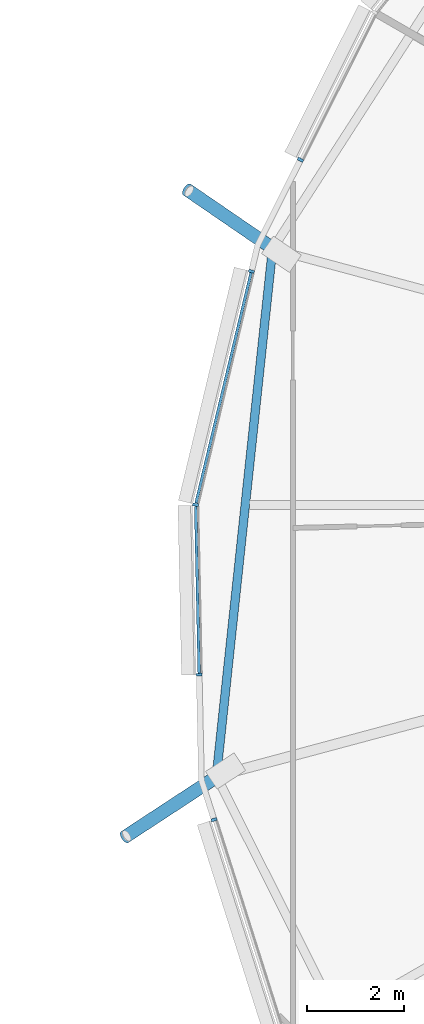
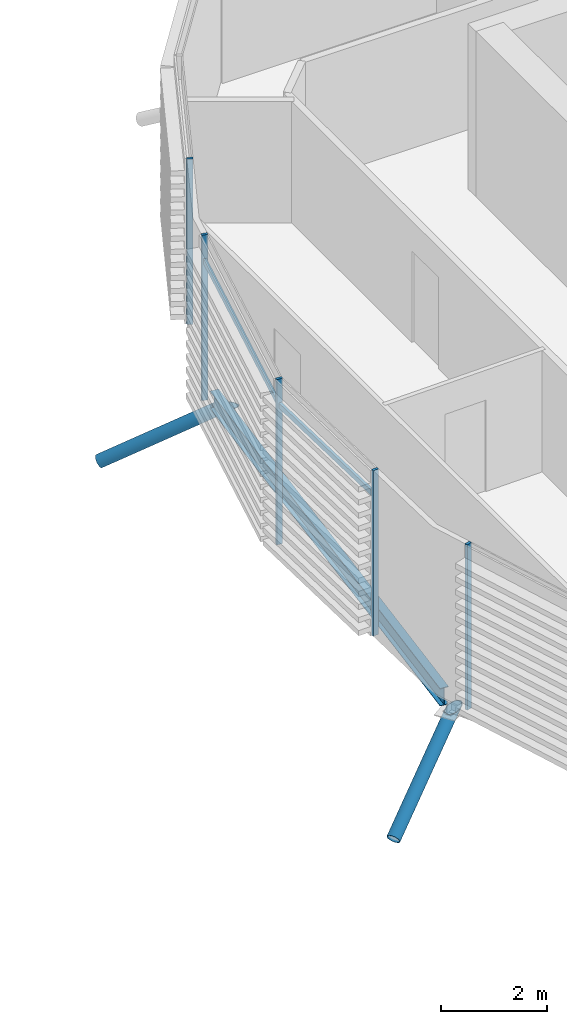
# One storey, part 9 of 37: 9 members, 1 beam, 1 element without a shape of its own.
"""IFC4 building model written with IfcOpenShell, lengths in metres."""

import ifcopenshell
import ifcopenshell.guid

model = None  # the IFC model being written
_history = None  # IfcOwnerHistory: only IFC2X3 demands one
_inside = {}  # id of a spatial element -> (the spatial element, [elements in it])
_under = {}  # id of a project, library or spatial element -> (it, [spatial elements below it])
_declared = {}  # id of a project -> (the project, [libraries it declares])
_typed = {}  # id of a type object -> (the type object, [elements of that type])
_made_of = {}  # id of a material, layer set ... -> (it, [elements and type objects made of it])


def new_model(schema):
    """Start an empty IFC model of exactly this schema.

    Asked for "IFC4X3", IfcOpenShell would pick the latest addendum, in which some entities
    have other attributes; the version numbers below select the first issue.
    IFC2X3 requires an IfcOwnerHistory on every rooted entity: one is made here for all.
    """
    global model, _history
    if schema == "IFC4X3":
        model = ifcopenshell.file(schema_version=(4, 3, 0, 0))
    else:
        model = ifcopenshell.file(schema=schema)
    _inside.clear()
    _under.clear()
    _declared.clear()
    _typed.clear()
    _made_of.clear()
    _history = None
    if model.schema == "IFC2X3":
        org = make("IfcOrganization", Name="unknown")
        user = make(
            "IfcPersonAndOrganization",
            ThePerson=make("IfcPerson", FamilyName="unknown"),
            TheOrganization=org,
        )
        app = make(
            "IfcApplication",
            ApplicationDeveloper=org,
            Version="unknown",
            ApplicationFullName="unknown",
            ApplicationIdentifier="unknown",
        )
        _history = make(
            "IfcOwnerHistory",
            OwningUser=user,
            OwningApplication=app,
            ChangeAction="ADDED",
            CreationDate=0,
        )
    return model


def make(cls, **values):
    """One entity of the class cls with the attributes given. An attribute that is None is left unset."""
    return model.create_entity(
        cls, **{name: value for name, value in values.items() if value is not None}
    )


def rooted(cls, **values):
    """An entity with a GlobalId (a new one), such as an element, a storey or a relation."""
    return make(cls, GlobalId=ifcopenshell.guid.new(), OwnerHistory=_history, **values)


def si_unit(unit_type, name, prefix=None):
    """IfcSIUnit, for example si_unit("LENGTHUNIT", "METRE", prefix="MILLI")."""
    return make("IfcSIUnit", UnitType=unit_type, Prefix=prefix, Name=name)


def assignment(units):
    """IfcUnitAssignment: the units of a project."""
    return None if units is None else make("IfcUnitAssignment", Units=units)


def point(xyz):
    """IfcCartesianPoint."""
    return None if xyz is None else make("IfcCartesianPoint", Coordinates=xyz)


def direction(xyz):
    """IfcDirection."""
    return None if xyz is None else make("IfcDirection", DirectionRatios=xyz)


def frame(location, z_axis=None, x_axis=None):
    """IfcAxis2Placement3D, a coordinate frame: its origin and axes. An axis left out is left unset."""
    return make(
        "IfcAxis2Placement3D",
        Location=point(location),
        Axis=direction(z_axis),
        RefDirection=direction(x_axis),
    )


def frame_2d(location, x_axis=None):
    """IfcAxis2Placement2D, a coordinate frame in the plane: its origin and x axis."""
    return make(
        "IfcAxis2Placement2D", Location=point(location), RefDirection=direction(x_axis)
    )


def origin():
    """The frame at (0, 0, 0) with its axes left unset."""
    return frame((0.0, 0.0, 0.0))


def origin_2d():
    """The frame at (0, 0) in the plane with its x axis left unset."""
    return frame_2d((0.0, 0.0))


def place(relative_to, where):
    """IfcLocalPlacement: puts the frame where relative to a parent placement (None: the world)."""
    return make(
        "IfcLocalPlacement", PlacementRelTo=relative_to, RelativePlacement=where
    )


def context(
    kind, dimensions, precision=None, world=None, true_north=None, identifier=None
):
    """IfcGeometricRepresentationContext, for example the 3D "Model" context."""
    return make(
        "IfcGeometricRepresentationContext",
        ContextIdentifier=identifier,
        ContextType=kind,
        CoordinateSpaceDimension=dimensions,
        Precision=precision,
        WorldCoordinateSystem=world,
        TrueNorth=true_north,
    )


def subcontext(parent, identifier, kind, view, scale=None):
    """IfcGeometricRepresentationSubContext, for example "Body" below "Model"."""
    return make(
        "IfcGeometricRepresentationSubContext",
        ContextIdentifier=identifier,
        ContextType=kind,
        ParentContext=parent,
        TargetScale=scale,
        TargetView=view,
    )


def project(units=None, contexts=None):
    """IfcProject with its units and contexts."""
    return rooted(
        "IfcProject",
        Name="project",
        RepresentationContexts=contexts,
        UnitsInContext=assignment(units),
    )


def spatial(cls, under=None, at=None, **own):
    """A site, building, storey or space (cls), placed at a placement, below another one or the project."""
    s = rooted(cls, ObjectPlacement=at, **own)
    if under is not None:
        _under.setdefault(under.id(), (under, []))[1].append(s)
    return s


def profile(cls, at=None, kind="AREA", **sizes):
    """A parametric profile (cls). Its sizes go by their IFC names, for example OverallWidth=200.0."""
    return make(cls, ProfileType=kind, Position=at, **sizes)


def rectangle(**sizes):
    """IfcRectangleProfileDef."""
    return profile("IfcRectangleProfileDef", **sizes)


def hollow_circle(**sizes):
    """IfcCircleHollowProfileDef."""
    return profile("IfcCircleHollowProfileDef", **sizes)


def i_section(**sizes):
    """IfcIShapeProfileDef."""
    return profile("IfcIShapeProfileDef", **sizes)


def extrude(swept, where, along, depth):
    """IfcExtrudedAreaSolid: the profile swept, set in the frame where, extruded along a direction by depth."""
    return make(
        "IfcExtrudedAreaSolid",
        SweptArea=swept,
        Position=where,
        ExtrudedDirection=direction(along),
        Depth=depth,
    )


def clip(a, b, op="DIFFERENCE"):
    """IfcBooleanClippingResult: the solid a cut by the half space b."""
    return make(
        "IfcBooleanClippingResult", Operator=op, FirstOperand=a, SecondOperand=b
    )


def halfspace(plane, agree):
    """IfcHalfSpaceSolid: all space on one side of the plane z = 0 of the frame plane."""
    return make(
        "IfcHalfSpaceSolid",
        BaseSurface=make("IfcPlane", Position=plane),
        AgreementFlag=agree,
    )


def shape(context_of_items, identifier, shape_type, items):
    """IfcShapeRepresentation: the items that make up one representation, for example the "Body"."""
    return make(
        "IfcShapeRepresentation",
        ContextOfItems=context_of_items,
        RepresentationIdentifier=identifier,
        RepresentationType=shape_type,
        Items=items,
    )


def material(Name=None, Category=None):
    """IfcMaterial."""
    return make("IfcMaterial", Name=Name, Category=Category)


def material_profile(
    of_material, cross_section, Name=None, Category=None, Priority=None
):
    """IfcMaterialProfile: a cross section and its material."""
    return make(
        "IfcMaterialProfile",
        Name=Name,
        Material=of_material,
        Profile=cross_section,
        Priority=Priority,
        Category=Category,
    )


def profile_set(profiles, Name=None, composite=None):
    """IfcMaterialProfileSet."""
    return make(
        "IfcMaterialProfileSet",
        Name=Name,
        MaterialProfiles=profiles,
        CompositeProfile=composite,
    )


def made_of(thing, what):
    """Note that an element or type object is made of a material, layer set ...; save() writes the relation."""
    if what is not None:
        _made_of.setdefault(what.id(), (what, []))[1].append(thing)
    return thing


def type_object(cls, material=None, **own):
    """A type object (cls), such as IfcWallType, which elements share."""
    return made_of(rooted(cls, **own), material)


def element(
    cls,
    number,
    at=None,
    inside=None,
    cuts=None,
    type_object=None,
    material=None,
    context=None,
    identifier="Body",
    shape_type=None,
    held_by="IfcProductDefinitionShape",
    body=None,
    shapes=None,
    **own,
):
    """One element of the class cls, such as IfcWall. Its Tag is "e" and its number.

    at: its placement. inside: the storey or other place that contains it. cuts: it is an
    opening in that element (IfcRelVoidsElement). A single representation is given by context,
    identifier, shape_type and body (its items); several are given by shapes. held_by: the class
    of the entity that holds the representations. save() writes the other relations.
    """
    e = rooted(cls, Tag="e%d" % number, ObjectPlacement=at, **own)
    if body is not None:
        shapes = [shape(context, identifier, shape_type, body)]
    if shapes is not None:
        e.Representation = make(held_by, Representations=shapes)
    if inside is not None:
        _inside.setdefault(inside.id(), (inside, []))[1].append(e)
    if cuts is not None:
        rooted(
            "IfcRelVoidsElement", RelatingBuildingElement=cuts, RelatedOpeningElement=e
        )
    if type_object is not None:
        _typed.setdefault(type_object.id(), (type_object, []))[1].append(e)
    return made_of(e, material)


def aggregate(whole, parts):
    """IfcRelAggregates: a whole, such as a stair, and the parts it consists of."""
    return rooted("IfcRelAggregates", RelatingObject=whole, RelatedObjects=parts)


def save(model, path):
    """Write the relations noted so far, then the file.

    IfcRelAggregates (storeys below a building ...), IfcRelContainedInSpatialStructure (elements
    in a storey), IfcRelDefinesByType, IfcRelAssociatesMaterial and IfcRelDeclares: one each for
    every whole, place, type object, material and project.
    """
    for whole, parts in _under.values():
        aggregate(whole, parts)
    for where, things in _inside.values():
        rooted(
            "IfcRelContainedInSpatialStructure",
            RelatedElements=things,
            RelatingStructure=where,
        )
    for kind, things in _typed.values():
        rooted("IfcRelDefinesByType", RelatedObjects=things, RelatingType=kind)
    for what, things in _made_of.values():
        rooted("IfcRelAssociatesMaterial", RelatedObjects=things, RelatingMaterial=what)
    for by, libraries in _declared.values():
        rooted("IfcRelDeclares", RelatingContext=by, RelatedDefinitions=libraries)
    model.write(path)


model = new_model("IFC4")

# Units and contexts
model_context = context("Model", 3, precision=1e-05, world=origin(), true_north=direction((0.0, 1.0)))
body_context = subcontext(model_context, "Body", "Model", "MODEL_VIEW")
ifc_project = project(units=[si_unit("LENGTHUNIT", "METRE"), si_unit("AREAUNIT", "SQUARE_METRE"), si_unit("VOLUMEUNIT", "CUBIC_METRE"), si_unit("PLANEANGLEUNIT", "RADIAN"), si_unit("MASSUNIT", "GRAM", prefix="KILO")], contexts=[model_context])

# Site, building, storey
site_placement = place(None, origin())
site = spatial("IfcSite", under=ifc_project, at=site_placement, CompositionType="ELEMENT")
building_placement = place(site_placement, origin())
building = spatial("IfcBuilding", under=site, at=building_placement, Name="Rimbun Link Towers", CompositionType="ELEMENT")
storey_placement = place(building_placement, frame((0.0, 0.0, 162.699951171875)))
storey = spatial("IfcBuildingStorey", under=building, at=storey_placement, Name="L39", CompositionType="ELEMENT", Elevation=162.699951171875)

# Curtain wall, members
ifc_material_1 = material(Name="Aluminium 6063-T6 and low-iron glass", Category="aluminium")
curtain_wall_type = type_object("IfcCurtainWallType", Name="CW1-Z3 unitised vision wall (zone 3)", PredefinedType="NOTDEFINED", material=ifc_material_1)
curtain_wall_placement = place(storey_placement, origin())
curtain_wall = element("IfcCurtainWall", 1, at=curtain_wall_placement, inside=storey, type_object=curtain_wall_type, Name="CW1 L39 T2", PredefinedType="NOTDEFINED")
ifc_material_2 = material(Name="Aluminium 6063-T6", Category="aluminium")
ifc_material_profile_1 = material_profile(ifc_material_2, rectangle(XDim=0.1201171875, YDim=0.06005859375, at=origin_2d()), Name="MULLION 60X120")
ifc_profile_set_1 = profile_set([ifc_material_profile_1], Name="Aluminium 6063-T6")
member_type_1 = type_object("IfcMemberType", Name="CW1 mullion 60X120", PredefinedType="MULLION", material=ifc_profile_set_1)
member_1_placement = place(storey_placement, frame((12.7119140625, 7.0908203125, 0.0), z_axis=(0.0, 0.0, 1.0), x_axis=(-0.893649163744, 0.448766277854, 0.0)))
member_1 = element("IfcMember", 2, at=member_1_placement, type_object=member_type_1, Name="CW1 mullion", PredefinedType="MULLION", context=body_context, shape_type="SweptSolid", body=[
    extrude(rectangle(XDim=0.1201171875, YDim=0.06005859375, at=origin_2d()), origin(), (0.0, 0.0, 1.0), 3.800048828125),
])
member_2_placement = place(storey_placement, frame((10.55810546875, 0.00634765625, 0.0), z_axis=(0.0, 0.0, 1.0), x_axis=(-0.994296940648, 0.106647052549, 0.0)))
member_2 = element("IfcMember", 3, at=member_2_placement, type_object=member_type_1, Name="CW1 mullion", PredefinedType="MULLION", context=body_context, shape_type="SweptSolid", body=[
    extrude(rectangle(XDim=0.1201171875, YDim=0.06005859375, at=origin_2d()), origin(), (0.0, 0.0, 1.0), 3.800048828125),
])
member_3_placement = place(storey_placement, frame((11.7041015625, 4.80029296875, 0.0), z_axis=(0.0, 0.0, 1.0), x_axis=(-0.972569993504, 0.232610420521, 0.0)))
member_3 = element("IfcMember", 4, at=member_3_placement, type_object=member_type_1, Name="CW1 mullion", PredefinedType="MULLION", context=body_context, shape_type="SweptSolid", body=[
    extrude(rectangle(XDim=0.1201171875, YDim=0.06005859375, at=origin_2d()), origin(), (0.0, 0.0, 1.0), 3.800048828125),
])
member_4_placement = place(storey_placement, frame((10.631103515625, -3.482421875, 0.0), z_axis=(0.0, 0.0, 1.0), x_axis=(-0.999778238808, -0.021058803518, 0.0)))
member_4 = element("IfcMember", 5, at=member_4_placement, type_object=member_type_1, Name="CW1 mullion", PredefinedType="MULLION", context=body_context, shape_type="SweptSolid", body=[
    extrude(rectangle(XDim=0.1201171875, YDim=0.06005859375, at=origin_2d()), origin(), (0.0, 0.0, 1.0), 3.800048828125),
])
member_5_placement = place(storey_placement, frame((10.936767578125, -6.458740234375, 0.0), z_axis=(0.0, 0.0, 1.0), x_axis=(-0.952964505749, -0.303081920912, 0.0)))
member_5 = element("IfcMember", 6, at=member_5_placement, type_object=member_type_1, Name="CW1 mullion", PredefinedType="MULLION", context=body_context, shape_type="SweptSolid", body=[
    extrude(rectangle(XDim=0.1201171875, YDim=0.06005859375, at=origin_2d()), origin(), (0.0, 0.0, 1.0), 3.800048828125),
])
ifc_material_3 = material(Name="Aluminium 6063-T6", Category="aluminium")
ifc_material_profile_2 = material_profile(ifc_material_3, rectangle(XDim=0.06005859375, YDim=0.1201171875, at=origin_2d()), Name="TRANSOM 60X120")
ifc_profile_set_2 = profile_set([ifc_material_profile_2], Name="Aluminium 6063-T6")
member_type_2 = type_object("IfcMemberType", Name="CW1 transom 60X120", PredefinedType="USERDEFINED", material=ifc_profile_set_2)
member_6_placement = place(storey_placement, frame((10.568359375, 0.042724609375, 3.199951171875), z_axis=(0.232620716872, 0.972567530859, 0.0), x_axis=(-0.972567530859, 0.232620716872, 0.0)))
member_6 = element("IfcMember", 7, at=member_6_placement, type_object=member_type_2, Name="CW1 transom", ObjectType="TRANSOM", PredefinedType="USERDEFINED", context=body_context, shape_type="SweptSolid", body=[
    extrude(rectangle(XDim=0.06005859375, YDim=0.1201171875, at=origin_2d()), origin(), (0.0, 0.0, 1.0), 4.861328125),
])
member_7_placement = place(storey_placement, frame((10.632568359375, -3.452392578125, 3.199951171875), z_axis=(-0.021047217043, 0.999778482792, 0.0), x_axis=(-0.999778482792, -0.021047217043, 0.0)))
member_7 = element("IfcMember", 8, at=member_7_placement, type_object=member_type_2, Name="CW1 transom", ObjectType="TRANSOM", PredefinedType="USERDEFINED", context=body_context, shape_type="SweptSolid", body=[
    extrude(rectangle(XDim=0.06005859375, YDim=0.1201171875, at=origin_2d()), origin(), (0.0, 0.0, 1.0), 3.421875),
])
aggregate(curtain_wall, [member_1, member_2, member_3, member_4, member_5, member_6, member_7])

# Members
ifc_material_4 = material(Name="Steel S355J2H", Category="steel")
ifc_material_profile_3 = material_profile(ifc_material_4, hollow_circle(Radius=0.136474609375, WallThickness=0.012451171875, at=origin_2d()), Name="CHS 273x12.5")
ifc_profile_set_3 = profile_set([ifc_material_profile_3], Name="Steel S355J2H")
member_type_3 = type_object("IfcMemberType", Name="Floor edge link CHS 273x12.5", PredefinedType="BRACE", material=ifc_profile_set_3)
member_8_placement = place(storey_placement, frame((12.185302734375, 5.2421875, -0.67333984375), z_axis=(-0.70918513473, 0.485884019041, -0.510855326602), x_axis=(-0.565200465457, -0.824953594966, 0.0)))
element("IfcMember", 9, at=member_8_placement, inside=storey, type_object=member_type_3, Name="Floor edge link T2 L39 08", PredefinedType="BRACE", context=body_context, shape_type="Clipping", body=[
    clip(extrude(hollow_circle(Radius=0.136474609375, WallThickness=0.012451171875, at=origin_2d()), frame((0.0, 0.0, -0.47900390625)), (0.0, 0.0, 1.0), 3.02099609375), halfspace(frame((0.0, 0.0, -0.22509765625), z_axis=(0.0, 0.859666700112, -0.510855326602)), False)),
])
member_9_placement = place(storey_placement, frame((11.033203125, -5.551025390625, -0.800537109375), z_axis=(-0.722888066018, -0.473537435651, -0.50318499684), x_axis=(0.547962389093, -0.836502970789, 0.0)))
element("IfcMember", 10, at=member_9_placement, inside=storey, type_object=member_type_3, Name="Floor edge link T2 L39 10", PredefinedType="BRACE", context=body_context, shape_type="Clipping", body=[
    clip(extrude(hollow_circle(Radius=0.136474609375, WallThickness=0.012451171875, at=origin_2d()), frame((0.0, 0.0, -0.48876953125)), (0.0, 0.0, 1.0), 3.156982421875), halfspace(frame((0.0, 0.0, -0.2294921875), z_axis=(0.0, 0.864178719337, -0.50318499684)), False)),
])

# Beam
ifc_material_5 = material(Name="Steel S355J2", Category="steel")
ifc_material_profile_4 = material_profile(ifc_material_5, i_section(OverallWidth=0.177978515625, OverallDepth=0.406494140625, WebThickness=0.0078125, FlangeThickness=0.0126953125, at=origin_2d()), Name="UB 406x178x60")
ifc_profile_set_4 = profile_set([ifc_material_profile_4], Name="Steel S355J2")
beam_type = type_object("IfcBeamType", Name="UB 406x178x60", PredefinedType="BEAM", material=ifc_profile_set_4)
beam_placement = place(storey_placement, frame((12.12744140625, 5.164794921875, -0.353271484375), z_axis=(-0.10587746354, -0.994379184574, 0.0), x_axis=(0.994379184574, -0.10587746354, 0.0)))
element("IfcBeam", 11, at=beam_placement, inside=storey, type_object=beam_type, Name="Edge beam T2 L39 08-10", PredefinedType="BEAM", context=body_context, shape_type="SweptSolid", body=[
    extrude(i_section(OverallWidth=0.177978515625, OverallDepth=0.406494140625, WebThickness=0.0078125, FlangeThickness=0.0126953125, at=origin_2d()), origin(), (0.0, 0.0, 1.0), 10.67626953125),
])

save(model, "model.ifc")
